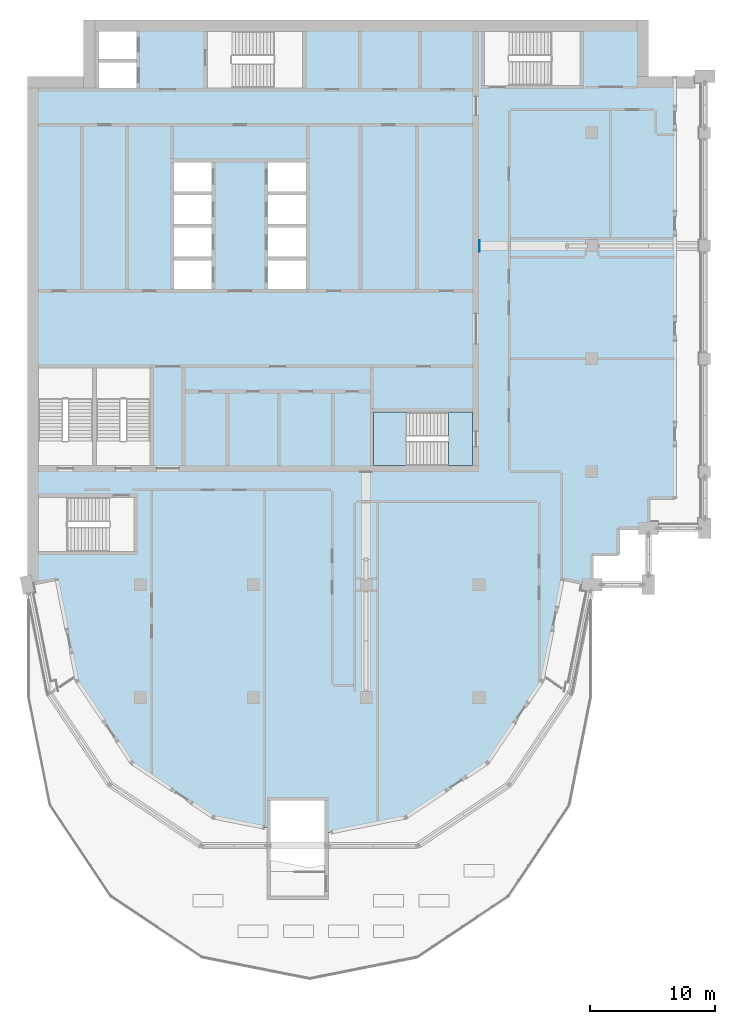
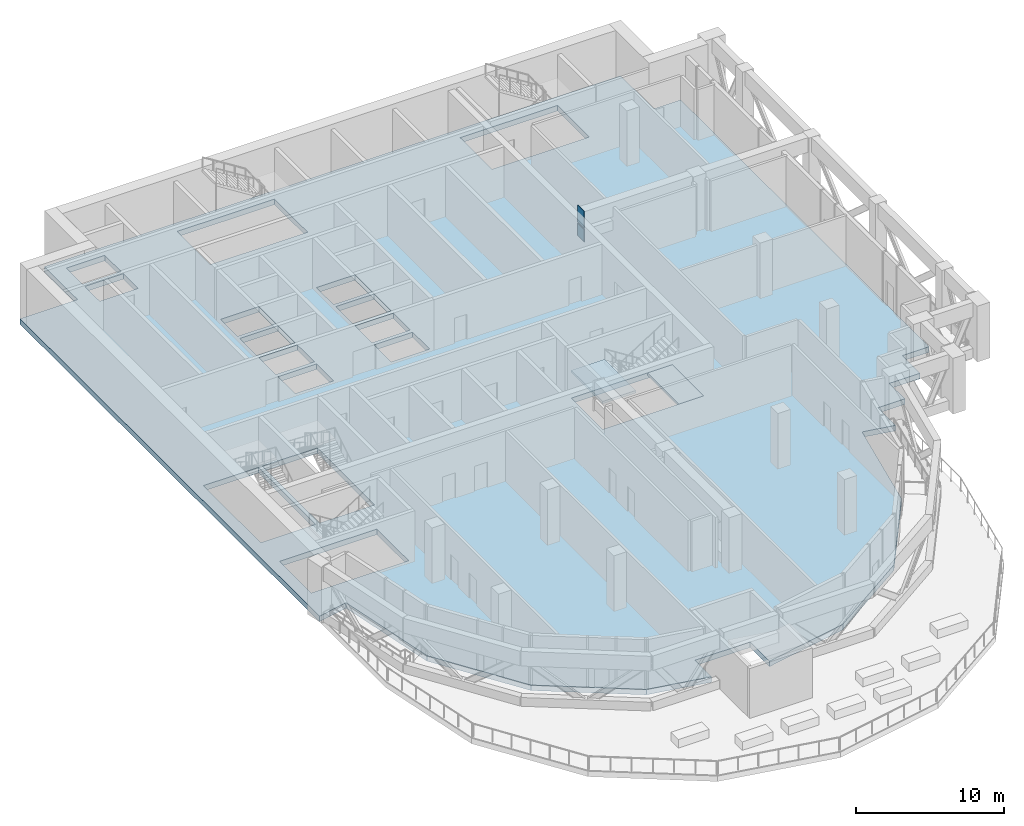
# One storey, part 5 of 18: 3 slabs, 2 plates, 1 element without a shape of its own.
"""IFC4 building model written with IfcOpenShell, lengths in metres."""

from ifc_helpers import new_model, si_unit, direction, frame, origin, origin_2d, place, context, subcontext, project, spatial, polyline, rectangle, outline, extrude, material, layer, layer_set, type_object, element, aggregate, save


model = new_model("IFC4")

# Units and contexts
model_context = context("Model", 3, precision=1e-05, world=origin(), true_north=direction((0.0, 1.0)))
body_context = subcontext(model_context, "Body", "Model", "MODEL_VIEW")
ifc_project = project(units=[si_unit("LENGTHUNIT", "METRE"), si_unit("AREAUNIT", "SQUARE_METRE"), si_unit("VOLUMEUNIT", "CUBIC_METRE"), si_unit("PLANEANGLEUNIT", "RADIAN"), si_unit("MASSUNIT", "GRAM", prefix="KILO")], contexts=[model_context])

# Site, building, storey
site_placement = place(None, origin())
site = spatial("IfcSite", under=ifc_project, at=site_placement, CompositionType="ELEMENT")
building_placement = place(site_placement, origin())
building = spatial("IfcBuilding", under=site, at=building_placement, Name="Hunhe Ridgeline Campus", CompositionType="ELEMENT")
storey_placement = place(building_placement, frame((0.0, 0.0, 276.199951171875)))
storey = spatial("IfcBuildingStorey", under=building, at=storey_placement, Name="L71", CompositionType="ELEMENT", Elevation=276.199951171875)

# Plates
ifc_material_1 = material(Name="Steel Q420", Category="steel")
ifc_layer_1 = layer(ifc_material_1, 0.0400390625)
ifc_layer_set_1 = layer_set([ifc_layer_1], Name="Cast-in plate 900x1000x40 Steel Q420")
plate_type_1 = type_object("IfcPlateType", Name="Cast-in plate 900x1000x40 Steel Q420", PredefinedType="SHEET", material=ifc_layer_set_1)
plate_1_placement = place(storey_placement, frame((36.02001953125, 81.0, 2.199951171875), z_axis=(0.0, 0.0, 1.0), x_axis=(1.0, 0.0, 0.0)))
element("IfcPlate", 1, at=plate_1_placement, inside=storey, type_object=plate_type_1, Name="Cast-in plate OR1 bottom chord L71", PredefinedType="SHEET", context=body_context, shape_type="SweptSolid", body=[
    extrude(rectangle(XDim=0.0400390625, YDim=0.89990234375, at=origin_2d()), origin(), (0.0, 0.0, 1.0), 1.0),
])
ifc_layer_2 = layer(ifc_material_1, 0.0400390625)
ifc_layer_set_2 = layer_set([ifc_layer_2], Name="Cast-in plate 900x1400x40 Steel Q420")
plate_type_2 = type_object("IfcPlateType", Name="Cast-in plate 900x1400x40 Steel Q420", PredefinedType="SHEET", material=ifc_layer_set_2)
plate_2_placement = place(storey_placement, frame((36.02001953125, 81.0, 3.300048828125), z_axis=(0.0, 0.0, 1.0), x_axis=(1.0, 0.0, 0.0)))
element("IfcPlate", 2, at=plate_2_placement, inside=storey, type_object=plate_type_2, Name="Cast-in plate OR1 top chord L71", PredefinedType="SHEET", context=body_context, shape_type="SweptSolid", body=[
    extrude(rectangle(XDim=0.0400390625, YDim=0.89990234375, at=origin_2d()), origin(), (0.0, 0.0, 1.0), 1.39990234375),
])

# Slab
ifc_material_2 = material(Name="Concrete C40", Category="concrete")
ifc_layer_3 = layer(ifc_material_2, 0.449951171875)
ifc_layer_set_3 = layer_set([ifc_layer_3], Name="Floor slab 450 Concrete C40")
slab_type_1 = type_object("IfcSlabType", Name="Floor slab 450 Concrete C40", PredefinedType="FLOOR", material=ifc_layer_set_3)
slab_1_placement = place(storey_placement, frame((0.0, 0.0, -0.449951171875)))
element("IfcSlab", 3, at=slab_1_placement, inside=storey, type_object=slab_type_1, Name="Floor slab L71 1", PredefinedType="FLOOR", context=body_context, shape_type="SweptSolid", body=[
    extrude(outline(polyline([(30.173583984375, 35.474365234375), (36.678955078125, 39.821044921875), (41.025634765625, 46.326416015625), (42.645263671875, 54.46875), (44.9990234375, 54.001220703125), (44.999267578125, 56.400634765625), (47.09912109375, 56.40087890625), (47.099609375, 58.5009765625), (49.4990234375, 58.5009765625), (49.49951171875, 60.90087890625), (51.59912109375, 60.90087890625), (51.59912109375, 94.5), (49.5, 94.5), (49.5, 99.0), (4.5, 99.0), (4.5, 94.5), (0.0, 94.5), (0.0, 54.0009765625), (2.354736328125, 54.46875), (3.974365234375, 46.326416015625), (8.321044921875, 39.821044921875), (14.826416015625, 35.474365234375), (19.39990234375, 34.564697265625), (19.39990234375, 36.800048828125), (23.699951171875, 36.800048828125), (23.699951171875, 34.186767578125), (30.173583984375, 35.474365234375)]), holes=[polyline([(36.449951171875, 98.10009765625), (36.449951171875, 93.800048828125), (44.050048828125, 93.800048828125), (44.050048828125, 98.10009765625), (36.449951171875, 98.10009765625)]), polyline([(27.60009765625, 63.5), (35.5, 63.5), (35.5, 67.75), (27.60009765625, 67.75), (27.60009765625, 63.5)]), polyline([(22.199951171875, 87.64990234375), (19.199951171875, 87.64990234375), (19.199951171875, 85.35009765625), (22.199951171875, 85.35009765625), (22.199951171875, 87.64990234375)]), polyline([(22.199951171875, 77.550048828125), (22.199951171875, 79.85009765625), (19.199951171875, 79.85009765625), (19.199951171875, 77.550048828125), (22.199951171875, 77.550048828125)]), polyline([(19.199951171875, 85.050048828125), (19.199951171875, 82.75), (22.199951171875, 82.75), (22.199951171875, 85.050048828125), (19.199951171875, 85.050048828125)]), polyline([(19.199951171875, 80.14990234375), (22.199951171875, 80.14990234375), (22.199951171875, 82.449951171875), (19.199951171875, 82.449951171875), (19.199951171875, 80.14990234375)]), polyline([(14.35009765625, 98.10009765625), (14.35009765625, 93.60009765625), (21.949951171875, 93.60009765625), (21.949951171875, 98.10009765625), (14.35009765625, 98.10009765625)]), polyline([(14.699951171875, 77.550048828125), (14.699951171875, 79.85009765625), (11.699951171875, 79.85009765625), (11.699951171875, 77.550048828125), (14.699951171875, 77.550048828125)]), polyline([(14.699951171875, 87.64990234375), (11.699951171875, 87.64990234375), (11.699951171875, 85.35009765625), (14.699951171875, 85.35009765625), (14.699951171875, 87.64990234375)]), polyline([(11.699951171875, 85.050048828125), (11.699951171875, 82.75), (14.699951171875, 82.75), (14.699951171875, 85.050048828125), (11.699951171875, 85.050048828125)]), polyline([(11.699951171875, 80.14990234375), (14.699951171875, 80.14990234375), (14.699951171875, 82.449951171875), (11.699951171875, 82.449951171875), (11.699951171875, 80.14990234375)]), polyline([(9.800048828125, 63.5), (9.800048828125, 71.25), (5.5, 71.25), (5.5, 63.5), (9.800048828125, 63.5)]), polyline([(8.699951171875, 93.60009765625), (8.699951171875, 95.60009765625), (5.699951171875, 95.60009765625), (5.699951171875, 93.60009765625), (8.699951171875, 93.60009765625)]), polyline([(5.699951171875, 95.89990234375), (8.699951171875, 95.89990234375), (8.699951171875, 98.10009765625), (5.699951171875, 98.10009765625), (5.699951171875, 95.89990234375)]), polyline([(0.89990234375, 60.949951171875), (0.89990234375, 56.64990234375), (8.5, 56.64990234375), (8.5, 60.949951171875), (0.89990234375, 60.949951171875)]), polyline([(5.199951171875, 71.25), (0.89990234375, 71.25), (0.89990234375, 63.5), (5.199951171875, 63.5), (5.199951171875, 71.25)])]), origin(), (0.0, 0.0, 1.0), 0.449951171875),
])

# Stair, slab
stair_type = type_object("IfcStairType", Name="Reinforced concrete dog-leg stair 1950 Concrete C40", PredefinedType="HALF_TURN_STAIR", material=ifc_material_2)
stair_placement = place(storey_placement, origin())
stair = element("IfcStair", 4, at=stair_placement, inside=storey, type_object=stair_type, Name="L71 S2", PredefinedType="HALF_TURN_STAIR")
ifc_layer_4 = layer(ifc_material_2, 0.199951171875)
ifc_layer_set_4 = layer_set([ifc_layer_4], Name="Reinforced concrete stair landing 200 Concrete C40")
slab_type_2 = type_object("IfcSlabType", Name="Reinforced concrete stair landing 200 Concrete C40", PredefinedType="LANDING", material=ifc_layer_set_4)
slab_2_placement = place(storey_placement, frame((0.0, 0.0, 2.10009765625)))
slab_2 = element("IfcSlab", 5, at=slab_2_placement, type_object=slab_type_2, Name="ST2 landing 1", PredefinedType="LANDING", context=body_context, shape_type="SweptSolid", body=[
    extrude(outline(polyline([(30.18994140625, 67.75), (27.60009765625, 67.75), (27.60009765625, 63.5), (30.18994140625, 63.5), (30.18994140625, 67.75)])), origin(), (0.0, 0.0, 1.0), 0.199951171875),
])
aggregate(stair, [slab_2])

# Slab
slab_3_placement = place(storey_placement, frame((0.0, 0.0, -0.199951171875)))
element("IfcSlab", 6, at=slab_3_placement, inside=storey, type_object=slab_type_2, Name="L71 stair S2 floor landing", PredefinedType="LANDING", context=body_context, shape_type="SweptSolid", body=[
    extrude(outline(polyline([(35.5, 67.75), (33.550048828125, 67.75), (33.550048828125, 63.5), (35.5, 63.5), (35.5, 67.75)])), origin(), (0.0, 0.0, 1.0), 0.199951171875),
])

save(model, "model.ifc")
